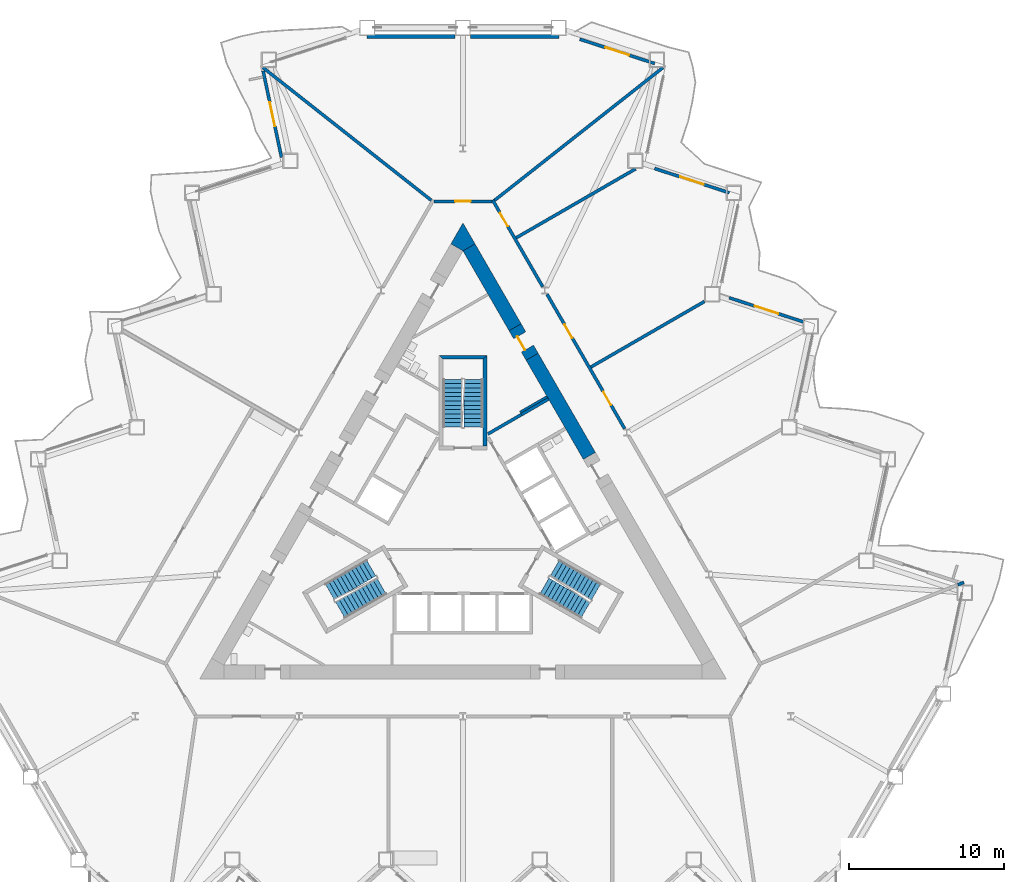
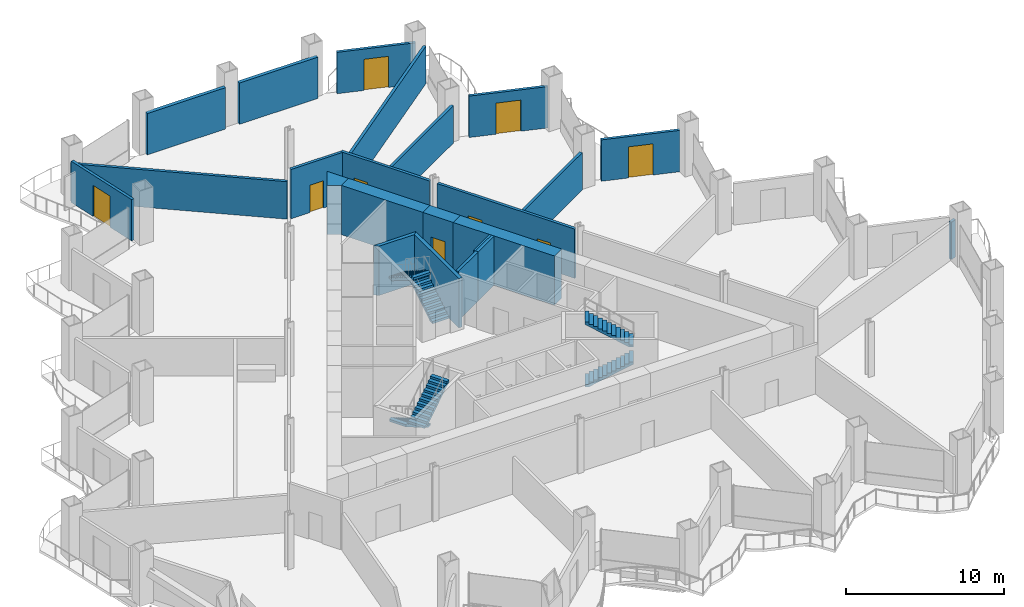
# One storey, part 12 of 20: 23 walls, 9 doors, 6 stair flights, 9 openings, 3 elements without a shape of their own.
"""IFC4 building model written with IfcOpenShell, lengths in metres."""

from ifc_helpers import new_model, si_unit, direction, frame, frame_2d, origin, place, context, subcontext, project, spatial, polyline, rectangle, outline, extrude, material, layer, layer_set, type_object, element, fill, aggregate, save


model = new_model("IFC4")

# Units and contexts
model_context = context("Model", 3, precision=1e-05, world=origin(), true_north=direction((0.0, 1.0)))
body_context = subcontext(model_context, "Body", "Model", "MODEL_VIEW")
ifc_project = project(units=[si_unit("LENGTHUNIT", "METRE"), si_unit("AREAUNIT", "SQUARE_METRE"), si_unit("VOLUMEUNIT", "CUBIC_METRE"), si_unit("PLANEANGLEUNIT", "RADIAN"), si_unit("MASSUNIT", "GRAM", prefix="KILO")], contexts=[model_context])

# Site, building, storey
site_placement = place(None, origin())
site = spatial("IfcSite", under=ifc_project, at=site_placement, CompositionType="ELEMENT")
building_placement = place(site_placement, origin())
building = spatial("IfcBuilding", under=site, at=building_placement, Name="Cormorant Prow Tower", CompositionType="ELEMENT")
storey_placement = place(building_placement, frame((0.0, 0.0, 38.39990234375)))
storey = spatial("IfcBuildingStorey", under=building, at=storey_placement, Name="L07", CompositionType="ELEMENT", Elevation=38.39990234375)

# Walls
ifc_material_1 = material(Name="Gypsum board partition")
ifc_layer_1 = layer(ifc_material_1, 0.14990234375)
ifc_layer_set_1 = layer_set([ifc_layer_1], Name="Gypsum board partition")
wall_type_1 = type_object("IfcWallType", Name="Core partition 150", PredefinedType="PARTITIONING", material=ifc_layer_set_1)
wall_1_placement = place(storey_placement, frame((3.693359375, 7.4150390625, 0.0), z_axis=(0.0, 0.0, 1.0), x_axis=(0.866035824272, 0.499981950752, 0.0)))
element("IfcWall", 1, at=wall_1_placement, inside=storey, type_object=wall_type_1, Name="Service room partition", PredefinedType="PARTITIONING", context=body_context, shape_type="SweptSolid", body=[
    extrude(rectangle(XDim=2.0087890625, YDim=0.14990234375, at=frame_2d((1.00439453125, 0.0))), origin(), (0.0, 0.0, 1.0), 3.800048828125),
])
ifc_material_2 = material(Name="Concrete 8000 psi", Category="concrete")
ifc_layer_2 = layer(ifc_material_2, 0.89990234375)
ifc_layer_set_2 = layer_set([ifc_layer_2], Name="Concrete 8000 psi")
wall_type_2 = type_object("IfcWallType", Name="Core shear wall 900", PredefinedType="SHEAR", material=ifc_layer_set_2)
wall_2_placement = place(storey_placement, frame((8.160400390625, 4.595947265625, 0.0), z_axis=(0.0, 0.0, 1.0), x_axis=(-0.500012259336, 0.866018325738, 0.0)))
element("IfcWall", 2, at=wall_2_placement, inside=storey, type_object=wall_type_2, Name="Core wall", PredefinedType="SHEAR", context=body_context, shape_type="SweptSolid", body=[
    extrude(rectangle(XDim=7.389404296875, YDim=0.89990234375, at=frame_2d((3.69482421875, 0.0))), origin(), (0.0, 0.0, 1.0), 3.800048828125),
])
wall_3_placement = place(storey_placement, frame((3.365478515625, 12.900390625, 0.0), z_axis=(0.0, 0.0, 1.0), x_axis=(-0.499981657175, 0.86603599376, 0.0)))
element("IfcWall", 3, at=wall_3_placement, inside=storey, type_object=wall_type_2, Name="Core wall", PredefinedType="SHEAR", context=body_context, shape_type="SweptSolid", body=[
    extrude(rectangle(XDim=5.951904296875, YDim=0.89990234375, at=frame_2d((2.97607421875, 0.0))), origin(), (0.0, 0.0, 1.0), 3.800048828125),
])
wall_4_placement = place(storey_placement, origin())
element("IfcWall", 4, at=wall_4_placement, inside=storey, type_object=wall_type_2, Name="Core wall corner", PredefinedType="SHEAR", context=body_context, shape_type="SweptSolid", body=[
    extrude(outline(polyline([(-0.779296875, 18.27978515625), (0.0, 19.6298828125), (0.779296875, 18.27978515625), (0.0, 17.829833984375), (-0.779296875, 18.27978515625)])), origin(), (0.0, 0.0, 1.0), 3.800048828125),
])

# Wall, opening, door
wall_5_placement = place(storey_placement, frame((4.465576171875, 10.995361328125, 0.0), z_axis=(0.0, 0.0, 1.0), x_axis=(-0.500077893725, 0.86598042715, 0.0)))
wall_5 = element("IfcWall", 5, at=wall_5_placement, inside=storey, type_object=wall_type_2, Name="Core wall door panel", PredefinedType="SHEAR", context=body_context, shape_type="SweptSolid", body=[
    extrude(rectangle(XDim=2.199951171875, YDim=0.89990234375, at=frame_2d((1.10009765625, 0.0))), origin(), (0.0, 0.0, 1.0), 3.800048828125),
])
opening_1_placement = place(wall_5_placement, frame((0.60009765625, 0.0, 0.0)))
opening_1 = element("IfcOpeningElement", 6, at=opening_1_placement, cuts=wall_5, Name="Opening L07-C20", PredefinedType="OPENING", context=body_context, shape_type="SweptSolid", body=[
    extrude(rectangle(XDim=1.0, YDim=2.10009765625, at=frame_2d((0.5, 1.050048828125))), frame((0.0, 0.4599609375, 0.0), z_axis=(0.0, -1.0, 0.0), x_axis=(1.0, 0.0, 0.0)), (0.0, 0.0, 1.0), 0.919921875),
])
ifc_material_3 = material(Name="Painted steel", Category="steel")
door_type_1 = type_object("IfcDoorType", Name="Service door 1000x2100", OperationType="NOTDEFINED", PredefinedType="DOOR", material=ifc_material_3)
door_1_placement = place(opening_1_placement, origin())
door_1 = element("IfcDoor", 7, at=door_1_placement, inside=storey, type_object=door_type_1, Name="Core door, Toilets (women) L07", OperationType="SINGLE_SWING_LEFT", OverallHeight=2.10009765625, OverallWidth=1.0, PredefinedType="DOOR", context=body_context, shape_type="SweptSolid", body=[
    extrude(rectangle(XDim=1.0, YDim=2.10009765625, at=frame_2d((0.5, 1.050048828125))), frame((0.0, 0.205078125, 0.0), z_axis=(0.0, -1.0, 0.0), x_axis=(1.0, 0.0, 0.0)), (0.0, 0.0, 1.0), 0.050048828125),
])
fill(opening_1, door_1)

# Wall, openings, doors
ifc_material_4 = material(Name="Gypsum board corridor wall")
ifc_layer_3 = layer(ifc_material_4, 0.199951171875)
ifc_layer_set_3 = layer_set([ifc_layer_3], Name="Gypsum board corridor wall")
wall_type_3 = type_object("IfcWallType", Name="Corridor wall 200", PredefinedType="PARTITIONING", material=ifc_layer_set_3)
wall_6_placement = place(storey_placement, frame((5.42919921875, 15.0263671875, 0.0), z_axis=(0.0, 0.0, 1.0), x_axis=(0.50001002959, -0.86601961312, 0.0)))
wall_6 = element("IfcWall", 8, at=wall_6_placement, inside=storey, type_object=wall_type_3, Name="Corridor wall", PredefinedType="PARTITIONING", context=body_context, shape_type="SweptSolid", body=[
    extrude(rectangle(XDim=10.018798828125, YDim=0.199951171875, at=frame_2d((5.00927734375, 0.0))), origin(), (0.0, 0.0, 1.0), 3.800048828125),
])
opening_2_placement = place(wall_6_placement, frame((7.265625, 0.0, 0.0)))
opening_2 = element("IfcOpeningElement", 9, at=opening_2_placement, cuts=wall_6, Name="Opening L07-F07", PredefinedType="OPENING", context=body_context, shape_type="SweptSolid", body=[
    extrude(rectangle(XDim=1.0, YDim=2.10009765625, at=frame_2d((0.5, 1.050048828125))), frame((0.0, 0.10986328125, 0.0), z_axis=(0.0, -1.0, 0.0), x_axis=(1.0, 0.0, 0.0)), (0.0, 0.0, 1.0), 0.219970703125),
])
opening_3_placement = place(wall_6_placement, frame((2.25439453125, 0.0, 0.0)))
opening_3 = element("IfcOpeningElement", 10, at=opening_3_placement, cuts=wall_6, Name="Opening L07-F08", PredefinedType="OPENING", context=body_context, shape_type="SweptSolid", body=[
    extrude(rectangle(XDim=1.0, YDim=2.10009765625, at=frame_2d((0.5, 1.050048828125))), frame((0.0, 0.10986328125, 0.0), z_axis=(0.0, -1.0, 0.0), x_axis=(1.0, 0.0, 0.0)), (0.0, 0.0, 1.0), 0.219970703125),
])
ifc_material_5 = material(Name="Timber door leaf", Category="wood")
door_type_2 = type_object("IfcDoorType", Name="Office door 1000x2100", OperationType="NOTDEFINED", PredefinedType="DOOR", material=ifc_material_5)
door_2_placement = place(opening_2_placement, origin())
door_2 = element("IfcDoor", 11, at=door_2_placement, inside=storey, type_object=door_type_2, Name="Open-plan office door", OperationType="SINGLE_SWING_RIGHT", OverallHeight=2.10009765625, OverallWidth=1.0, PredefinedType="DOOR", context=body_context, shape_type="SweptSolid", body=[
    extrude(rectangle(XDim=1.0, YDim=2.10009765625, at=frame_2d((0.5, 1.050048828125))), frame((0.0, 0.02490234375, 0.0), z_axis=(0.0, -1.0, 0.0), x_axis=(1.0, 0.0, 0.0)), (0.0, 0.0, 1.0), 0.050048828125),
])
fill(opening_2, door_2)
door_3_placement = place(opening_3_placement, origin())
door_3 = element("IfcDoor", 12, at=door_3_placement, inside=storey, type_object=door_type_2, Name="Tenant suite door", OperationType="SINGLE_SWING_LEFT", OverallHeight=2.10009765625, OverallWidth=1.0, PredefinedType="DOOR", context=body_context, shape_type="SweptSolid", body=[
    extrude(rectangle(XDim=1.0, YDim=2.10009765625, at=frame_2d((0.5, 1.050048828125))), frame((0.0, 0.02490234375, 0.0), z_axis=(0.0, -1.0, 0.0), x_axis=(1.0, 0.0, 0.0)), (0.0, 0.0, 1.0), 0.050048828125),
])
fill(opening_3, door_3)

# Wall, opening, door
wall_7_placement = place(storey_placement, frame((1.9130859375, 21.116455078125, 0.0), z_axis=(0.0, 0.0, 1.0), x_axis=(0.500001069878, -0.866024786089, 0.0)))
wall_7 = element("IfcWall", 13, at=wall_7_placement, inside=storey, type_object=wall_type_3, Name="Corridor wall", PredefinedType="PARTITIONING", context=body_context, shape_type="SweptSolid", body=[
    extrude(rectangle(XDim=6.47265625, YDim=0.199951171875, at=frame_2d((3.236328125, 0.0))), origin(), (0.0, 0.0, 1.0), 3.800048828125),
])
opening_4_placement = place(wall_7_placement, frame((0.96044921875, 0.0, 0.0)))
opening_4 = element("IfcOpeningElement", 14, at=opening_4_placement, cuts=wall_7, Name="Opening L07-F09", PredefinedType="OPENING", context=body_context, shape_type="SweptSolid", body=[
    extrude(rectangle(XDim=1.0, YDim=2.10009765625, at=frame_2d((0.5, 1.050048828125))), frame((0.0, 0.10986328125, 0.0), z_axis=(0.0, -1.0, 0.0), x_axis=(1.0, 0.0, 0.0)), (0.0, 0.0, 1.0), 0.219970703125),
])
door_4_placement = place(opening_4_placement, origin())
door_4 = element("IfcDoor", 15, at=door_4_placement, inside=storey, type_object=door_type_2, Name="Private office door", OperationType="SINGLE_SWING_LEFT", OverallHeight=2.10009765625, OverallWidth=1.0, PredefinedType="DOOR", context=body_context, shape_type="SweptSolid", body=[
    extrude(rectangle(XDim=1.0, YDim=2.10009765625, at=frame_2d((0.5, 1.050048828125))), frame((0.0, 0.02490234375, 0.0), z_axis=(0.0, -1.0, 0.0), x_axis=(1.0, 0.0, 0.0)), (0.0, 0.0, 1.0), 0.050048828125),
])
fill(opening_4, door_4)

wall_8_placement = place(storey_placement, frame((-1.863037109375, 21.02978515625, 0.0), z_axis=(0.0, 0.0, 1.0), x_axis=(1.0, 0.0, 0.0)))
wall_8 = element("IfcWall", 16, at=wall_8_placement, inside=storey, type_object=wall_type_3, Name="Corridor wall", PredefinedType="PARTITIONING", context=body_context, shape_type="SweptSolid", body=[
    extrude(rectangle(XDim=3.72607421875, YDim=0.199951171875, at=frame_2d((1.863037109375, 0.0))), origin(), (0.0, 0.0, 1.0), 3.800048828125),
])
opening_5_placement = place(wall_8_placement, frame((1.363037109375, 0.0, 0.0)))
opening_5 = element("IfcOpeningElement", 17, at=opening_5_placement, cuts=wall_8, Name="Opening L07-F10", PredefinedType="OPENING", context=body_context, shape_type="SweptSolid", body=[
    extrude(rectangle(XDim=1.0, YDim=2.10009765625, at=frame_2d((0.5, 1.050048828125))), frame((0.0, 0.10986328125, 0.0), z_axis=(0.0, -1.0, 0.0), x_axis=(1.0, 0.0, 0.0)), (0.0, 0.0, 1.0), 0.219970703125),
])
door_5_placement = place(opening_5_placement, origin())
door_5 = element("IfcDoor", 18, at=door_5_placement, inside=storey, type_object=door_type_2, Name="Tenant suite door", OperationType="SINGLE_SWING_LEFT", OverallHeight=2.10009765625, OverallWidth=1.0, PredefinedType="DOOR", context=body_context, shape_type="SweptSolid", body=[
    extrude(rectangle(XDim=1.0, YDim=2.10009765625, at=frame_2d((0.5, 1.050048828125))), frame((0.0, 0.02490234375, 0.0), z_axis=(0.0, -1.0, 0.0), x_axis=(1.0, 0.0, 0.0)), (0.0, 0.0, 1.0), 0.050048828125),
])
fill(opening_5, door_5)

# Walls
ifc_material_6 = material(Name="Gypsum board demising wall")
ifc_layer_4 = layer(ifc_material_6, 0.199951171875)
ifc_layer_set_4 = layer_set([ifc_layer_4], Name="Gypsum board demising wall")
wall_type_4 = type_object("IfcWallType", Name="Demising wall 200", PredefinedType="PARTITIONING", material=ifc_layer_set_4)
for number, where, z_axis, x_axis, name in (
    (19, (-12.90771484375, 29.65869140625, 0.0), (0.0, 0.0, 1.0), (0.78529358076, -0.619123567648, 0.0), "Demising wall"),
    (20, (2.04150390625, 21.091796875, 0.0), (0.0, 0.0, 1.0), (0.78529358076, 0.619123567648, 0.0), "Demising wall"),
):
    element("IfcWall", number, at=place(storey_placement, frame(where, z_axis=z_axis, x_axis=x_axis)), inside=storey, type_object=wall_type_4, Name=name, PredefinedType="PARTITIONING", context=body_context, shape_type="SweptSolid", body=[
        extrude(rectangle(XDim=13.837158203125, YDim=0.199951171875, at=frame_2d((6.91845703125, 0.0))), origin(), (0.0, 0.0, 1.0), 2.885498046875),
    ])
wall_9_placement = place(storey_placement, frame((3.438720703125, 18.673828125, 0.0), z_axis=(0.0, 0.0, 1.0), x_axis=(0.866020616849, 0.500008291124, 0.0)))
element("IfcWall", 21, at=wall_9_placement, inside=storey, type_object=wall_type_4, Name="Demising wall", PredefinedType="PARTITIONING", context=body_context, shape_type="SweptSolid", body=[
    extrude(rectangle(XDim=8.896728515625, YDim=0.199951171875, at=frame_2d((4.4482421875, 0.0))), origin(), (0.0, 0.0, 1.0), 2.885498046875),
])
wall_10_placement = place(storey_placement, frame((8.25634765625, 10.32958984375, 0.0), z_axis=(0.0, 0.0, 1.0), x_axis=(0.866026229868, 0.499998569178, 0.0)))
element("IfcWall", 22, at=wall_10_placement, inside=storey, type_object=wall_type_4, Name="Demising wall", PredefinedType="PARTITIONING", context=body_context, shape_type="SweptSolid", body=[
    extrude(rectangle(XDim=8.47021484375, YDim=0.199951171875, at=frame_2d((4.235107421875, 0.0))), origin(), (0.0, 0.0, 1.0), 2.885498046875),
])
wall_11_placement = place(storey_placement, frame((31.947509765625, -3.727294921875, 0.0), z_axis=(0.0, 0.0, 1.0), x_axis=(0.928757356094, 0.370688243003, 0.0)))
element("IfcWall", 23, at=wall_11_placement, inside=storey, type_object=wall_type_4, Name="Demising wall", PredefinedType="PARTITIONING", context=body_context, shape_type="SweptSolid", body=[
    extrude(rectangle(XDim=0.41943359375, YDim=0.199951171875, at=frame_2d((0.209716796875, 0.0))), origin(), (0.0, 0.0, 1.0), 2.885498046875),
])
ifc_material_7 = material(Name="Concrete 8000 psi", Category="concrete")
ifc_layer_5 = layer(ifc_material_7, 0.199951171875)
ifc_layer_set_5 = layer_set([ifc_layer_5], Name="Concrete 8000 psi")
wall_type_5 = type_object("IfcWallType", Name="Lift shaft wall 200", PredefinedType="SHEAR", material=ifc_layer_set_5)
wall_12_placement = place(storey_placement, origin())
element("IfcWall", 24, at=wall_12_placement, inside=storey, type_object=wall_type_5, Name="Lift shaft walls, ENE block", PredefinedType="SHEAR", context=body_context, shape_type="SweptSolid", body=[
    extrude(outline(polyline([(1.560546875, 6.09716796875), (3.730712890625, 7.35009765625), (3.830810546875, 7.177001953125), (1.660400390625, 5.923828125), (1.560546875, 6.09716796875)])), origin(), (0.0, 0.0, 1.0), 3.800048828125),
])
wall_13_placement = place(storey_placement, frame((3.78076171875, 7.263427734375, 0.0), z_axis=(0.0, 0.0, 1.0), x_axis=(0.865983199114, 0.50007309351, 0.0)))
element("IfcWall", 25, at=wall_13_placement, inside=storey, type_object=wall_type_5, Name="Store side wall", PredefinedType="SHEAR", context=body_context, shape_type="SweptSolid", body=[
    extrude(rectangle(XDim=2.009033203125, YDim=0.199951171875, at=frame_2d((1.00439453125, 0.0))), origin(), (0.0, 0.0, 1.0), 3.800048828125),
])
ifc_material_8 = material(Name="Concrete 8000 psi", Category="concrete")
ifc_layer_6 = layer(ifc_material_8, 0.25)
ifc_layer_set_6 = layer_set([ifc_layer_6], Name="Concrete 8000 psi")
wall_type_6 = type_object("IfcWallType", Name="Stair wall 250", PredefinedType="SHEAR", material=ifc_layer_set_6)
wall_14_placement = place(storey_placement, origin())
element("IfcWall", 26, at=wall_14_placement, inside=storey, type_object=wall_type_6, Name="Stair ST3 enclosure wall (flank)", PredefinedType="SHEAR", context=body_context, shape_type="SweptSolid", body=[
    extrude(outline(polyline([(1.5439453125, 5.23681640625), (1.5439453125, 11.0869140625), (1.2939453125, 10.8369140625), (1.2939453125, 5.23681640625), (1.5439453125, 5.23681640625)])), origin(), (0.0, 0.0, 1.0), 3.800048828125),
])
wall_15_placement = place(storey_placement, origin())
element("IfcWall", 27, at=wall_15_placement, inside=storey, type_object=wall_type_6, Name="Stair ST3 enclosure wall (end)", PredefinedType="SHEAR", context=body_context, shape_type="SweptSolid", body=[
    extrude(outline(polyline([(1.5439453125, 11.0869140625), (-1.5439453125, 11.0869140625), (-1.2939453125, 10.8369140625), (1.2939453125, 10.8369140625), (1.5439453125, 11.0869140625)])), origin(), (0.0, 0.0, 1.0), 3.800048828125),
])
ifc_material_9 = material(Name="Terracotta", Category="masonry")
ifc_layer_7 = layer(ifc_material_9, 0.25)
ifc_layer_set_7 = layer_set([ifc_layer_7], Name="Terracotta")
wall_type_7 = type_object("IfcWallType", Name="Terracotta bay wall 250", PredefinedType="SOLIDWALL", material=ifc_layer_set_7)
for number, where, z_axis, x_axis, name in (
    (28, (6.209228515625, 31.679931640625, 0.0), (0.0, 0.0, 1.0), (-1.0, 0.0, 0.0), "Terracotta bay wall N00"),
    (29, (-0.5, 31.679931640625, 0.0), (0.0, 0.0, 1.0), (-1.0, 0.0, 0.0), "Terracotta bay wall N01"),
):
    element("IfcWall", number, at=place(storey_placement, frame(where, z_axis=z_axis, x_axis=x_axis)), inside=storey, type_object=wall_type_7, Name=name, PredefinedType="SOLIDWALL", context=body_context, shape_type="SweptSolid", body=[
        extrude(rectangle(XDim=5.709228515625, YDim=0.25, at=frame_2d((2.8544921875, 0.0))), origin(), (0.0, 0.0, 1.0), 3.18896484375),
    ])

# Wall, opening, door
ifc_material_10 = material(Name="Terracotta", Category="masonry")
ifc_layer_8 = layer(ifc_material_10, 0.199951171875)
ifc_layer_set_8 = layer_set([ifc_layer_8], Name="Terracotta")
wall_type_8 = type_object("IfcWallType", Name="Terracotta jamb wall 200", PredefinedType="SOLIDWALL", material=ifc_layer_set_8)
wall_16_placement = place(storey_placement, frame((22.01318359375, 13.2353515625, 0.0), z_axis=(0.0, 0.0, 1.0), x_axis=(-0.951051031059, 0.309033875687, 0.0)))
wall_16 = element("IfcWall", 30, at=wall_16_placement, inside=storey, type_object=wall_type_8, Name="Terracotta jamb wall ENE05", PredefinedType="SOLIDWALL", context=body_context, shape_type="SweptSolid", body=[
    extrude(rectangle(XDim=5.07666015625, YDim=0.199951171875, at=frame_2d((2.538330078125, 0.0))), origin(), (0.0, 0.0, 1.0), 3.18896484375),
])
opening_6_placement = place(wall_16_placement, frame((1.73828125, 0.0, 0.0)))
opening_6 = element("IfcOpeningElement", 31, at=opening_6_placement, cuts=wall_16, Name="Opening ED07.08", PredefinedType="OPENING", context=body_context, shape_type="SweptSolid", body=[
    extrude(rectangle(XDim=1.60009765625, YDim=2.39990234375, at=frame_2d((0.800048828125, 1.199951171875))), frame((0.0, 0.10986328125, 0.0), z_axis=(0.0, -1.0, 0.0), x_axis=(1.0, 0.0, 0.0)), (0.0, 0.0, 1.0), 0.219970703125),
])
ifc_material_11 = material(Name="Aluminium 6063-T6", Category="aluminium")
door_type_3 = type_object("IfcDoorType", Name="Balcony door 1600x2400", OperationType="DOUBLE_DOOR_SINGLE_SWING", PredefinedType="DOOR", material=ifc_material_11)
door_6_placement = place(opening_6_placement, origin())
door_6 = element("IfcDoor", 32, at=door_6_placement, inside=storey, type_object=door_type_3, Name="Balcony door ENE05 ED07.08", OperationType="DOUBLE_DOOR_SINGLE_SWING", OverallHeight=2.39990234375, OverallWidth=1.60009765625, PredefinedType="DOOR", context=body_context, shape_type="SweptSolid", body=[
    extrude(rectangle(XDim=1.60009765625, YDim=2.39990234375, at=frame_2d((0.800048828125, 1.199951171875))), frame((0.0, 0.02490234375, 0.0), z_axis=(0.0, -1.0, 0.0), x_axis=(1.0, 0.0, 0.0)), (0.0, 0.0, 1.0), 0.050048828125),
])
fill(opening_6, door_6)

wall_17_placement = place(storey_placement, frame((17.195556640625, 21.57958984375, 0.0), z_axis=(0.0, 0.0, 1.0), x_axis=(-0.951051031059, 0.309033875687, 0.0)))
wall_17 = element("IfcWall", 33, at=wall_17_placement, inside=storey, type_object=wall_type_8, Name="Terracotta jamb wall ENE07", PredefinedType="SOLIDWALL", context=body_context, shape_type="SweptSolid", body=[
    extrude(rectangle(XDim=5.07666015625, YDim=0.199951171875, at=frame_2d((2.538330078125, 0.0))), origin(), (0.0, 0.0, 1.0), 3.18896484375),
])
opening_7_placement = place(wall_17_placement, frame((1.73828125, 0.0, 0.0)))
opening_7 = element("IfcOpeningElement", 34, at=opening_7_placement, cuts=wall_17, Name="Opening ED07.09", PredefinedType="OPENING", context=body_context, shape_type="SweptSolid", body=[
    extrude(rectangle(XDim=1.60009765625, YDim=2.39990234375, at=frame_2d((0.800048828125, 1.199951171875))), frame((0.0, 0.10986328125, 0.0), z_axis=(0.0, -1.0, 0.0), x_axis=(1.0, 0.0, 0.0)), (0.0, 0.0, 1.0), 0.219970703125),
])
door_7_placement = place(opening_7_placement, origin())
door_7 = element("IfcDoor", 35, at=door_7_placement, inside=storey, type_object=door_type_3, Name="Balcony door ENE07 ED07.09", OperationType="DOUBLE_DOOR_SINGLE_SWING", OverallHeight=2.39990234375, OverallWidth=1.60009765625, PredefinedType="DOOR", context=body_context, shape_type="SweptSolid", body=[
    extrude(rectangle(XDim=1.60009765625, YDim=2.39990234375, at=frame_2d((0.800048828125, 1.199951171875))), frame((0.0, 0.02490234375, 0.0), z_axis=(0.0, -1.0, 0.0), x_axis=(1.0, 0.0, 0.0)), (0.0, 0.0, 1.0), 0.050048828125),
])
fill(opening_7, door_7)

wall_18_placement = place(storey_placement, frame((12.378173828125, 29.923828125, 0.0), z_axis=(0.0, 0.0, 1.0), x_axis=(-0.951055623544, 0.309019741968, 0.0)))
wall_18 = element("IfcWall", 36, at=wall_18_placement, inside=storey, type_object=wall_type_8, Name="Terracotta jamb wall ENE09", PredefinedType="SOLIDWALL", context=body_context, shape_type="SweptSolid", body=[
    extrude(rectangle(XDim=5.076904296875, YDim=0.199951171875, at=frame_2d((2.53857421875, 0.0))), origin(), (0.0, 0.0, 1.0), 3.18896484375),
])
opening_8_placement = place(wall_18_placement, frame((1.73828125, 0.0, 0.0)))
opening_8 = element("IfcOpeningElement", 37, at=opening_8_placement, cuts=wall_18, Name="Opening ED07.10", PredefinedType="OPENING", context=body_context, shape_type="SweptSolid", body=[
    extrude(rectangle(XDim=1.60009765625, YDim=2.39990234375, at=frame_2d((0.800048828125, 1.199951171875))), frame((0.0, 0.10986328125, 0.0), z_axis=(0.0, -1.0, 0.0), x_axis=(1.0, 0.0, 0.0)), (0.0, 0.0, 1.0), 0.219970703125),
])
door_8_placement = place(opening_8_placement, origin())
door_8 = element("IfcDoor", 38, at=door_8_placement, inside=storey, type_object=door_type_3, Name="Balcony door ENE09 ED07.10", OperationType="DOUBLE_DOOR_SINGLE_SWING", OverallHeight=2.39990234375, OverallWidth=1.60009765625, PredefinedType="DOOR", context=body_context, shape_type="SweptSolid", body=[
    extrude(rectangle(XDim=1.60009765625, YDim=2.39990234375, at=frame_2d((0.800048828125, 1.199951171875))), frame((0.0, 0.02490234375, 0.0), z_axis=(0.0, -1.0, 0.0), x_axis=(1.0, 0.0, 0.0)), (0.0, 0.0, 1.0), 0.050048828125),
])
fill(opening_8, door_8)

wall_19_placement = place(storey_placement, frame((-12.89990234375, 29.44677734375, 0.0), z_axis=(0.0, 0.0, 1.0), x_axis=(0.207929909881, -0.978143727975, 0.0)))
wall_19 = element("IfcWall", 39, at=wall_19_placement, inside=storey, type_object=wall_type_8, Name="Terracotta jamb wall WNW01", PredefinedType="SOLIDWALL", context=body_context, shape_type="SweptSolid", body=[
    extrude(rectangle(XDim=5.7041015625, YDim=0.199951171875, at=frame_2d((2.85205078125, 0.0))), origin(), (0.0, 0.0, 1.0), 3.18896484375),
])
opening_9_placement = place(wall_19_placement, frame((2.057373046875, 0.0, 0.0)))
opening_9 = element("IfcOpeningElement", 40, at=opening_9_placement, cuts=wall_19, Name="Opening ED07.11", PredefinedType="OPENING", context=body_context, shape_type="SweptSolid", body=[
    extrude(rectangle(XDim=1.60009765625, YDim=2.39990234375, at=frame_2d((0.800048828125, 1.199951171875))), frame((0.0, 0.10986328125, 0.0), z_axis=(0.0, -1.0, 0.0), x_axis=(1.0, 0.0, 0.0)), (0.0, 0.0, 1.0), 0.219970703125),
])
door_9_placement = place(opening_9_placement, origin())
door_9 = element("IfcDoor", 41, at=door_9_placement, inside=storey, type_object=door_type_3, Name="Balcony door WNW01 ED07.11", OperationType="DOUBLE_DOOR_SINGLE_SWING", OverallHeight=2.39990234375, OverallWidth=1.60009765625, PredefinedType="DOOR", context=body_context, shape_type="SweptSolid", body=[
    extrude(rectangle(XDim=1.60009765625, YDim=2.39990234375, at=frame_2d((0.800048828125, 1.199951171875))), frame((0.0, 0.02490234375, 0.0), z_axis=(0.0, -1.0, 0.0), x_axis=(1.0, 0.0, 0.0)), (0.0, 0.0, 1.0), 0.050048828125),
])
fill(opening_9, door_9)

# Stair, stair flights
ifc_material_12 = material(Name="Exit stair 24 risers")
stair_type = type_object("IfcStairType", Name="Exit stair 24 risers", PredefinedType="HALF_TURN_STAIR", material=ifc_material_12)
stair_1_placement = place(storey_placement, origin())
stair_1 = element("IfcStair", 42, at=stair_1_placement, inside=storey, type_object=stair_type, Name="L07 Exit stair ST1", PredefinedType="HALF_TURN_STAIR")
ifc_material_13 = material(Name="Concrete 5000 psi", Category="concrete")
stair_flight_type = type_object("IfcStairFlightType", Name="Stair flight 1219", PredefinedType="STRAIGHT", material=ifc_material_13)
stair_flight_1_placement = place(storey_placement, frame((-5.93310546875, -2.635009765625, 0.0), z_axis=(0.0, 0.0, 1.0), x_axis=(-0.866025403784, -0.5, 0.0)))
stair_flight_1 = element("IfcStairFlight", 43, at=stair_flight_1_placement, type_object=stair_flight_type, Name="ST1 flight 1", NumberOfRisers=12, NumberOfTreads=11, PredefinedType="STRAIGHT", RiserHeight=0.175, TreadLength=0.28, context=body_context, shape_type="SweptSolid", body=[
    extrude(outline(polyline([(0.0, 0.0), (0.0, 0.175048828125), (0.280029296875, 0.175048828125), (0.280029296875, 0.35009765625), (0.56005859375, 0.35009765625), (0.56005859375, 0.52490234375), (0.840087890625, 0.52490234375), (0.840087890625, 0.699951171875), (1.1201171875, 0.699951171875), (1.1201171875, 0.875), (1.39990234375, 0.875), (1.39990234375, 1.050048828125), (1.679931640625, 1.050048828125), (1.679931640625, 1.22509765625), (1.9599609375, 1.22509765625), (1.9599609375, 1.39990234375), (2.239990234375, 1.39990234375), (2.239990234375, 1.574951171875), (2.52001953125, 1.574951171875), (2.52001953125, 1.75), (2.800048828125, 1.75), (2.800048828125, 1.925048828125), (3.080078125, 1.925048828125), (3.080078125, 2.10009765625), (3.080078125, 1.748291015625), (0.28271484375, 0.0), (0.0, 0.0)])), frame((0.0, 0.609375, 0.0), z_axis=(0.0, -1.0, 0.0), x_axis=(1.0, 0.0, 0.0)), (0.0, 0.0, 1.0), 1.218994140625),
])
stair_flight_2_placement = place(storey_placement, frame((-7.916015625, -5.360595703125, 2.10009765625), z_axis=(0.0, 0.0, 1.0), x_axis=(0.866025403784, 0.5, 0.0)))
stair_flight_2 = element("IfcStairFlight", 44, at=stair_flight_2_placement, type_object=stair_flight_type, Name="ST1 flight 2", NumberOfRisers=12, NumberOfTreads=11, PredefinedType="STRAIGHT", RiserHeight=0.175, TreadLength=0.28, context=body_context, shape_type="SweptSolid", body=[
    extrude(outline(polyline([(0.0, 0.0), (0.0, 0.175048828125), (0.280029296875, 0.175048828125), (0.280029296875, 0.35009765625), (0.56005859375, 0.35009765625), (0.56005859375, 0.52490234375), (0.840087890625, 0.52490234375), (0.840087890625, 0.699951171875), (1.1201171875, 0.699951171875), (1.1201171875, 0.875), (1.39990234375, 0.875), (1.39990234375, 1.050048828125), (1.679931640625, 1.050048828125), (1.679931640625, 1.22509765625), (1.9599609375, 1.22509765625), (1.9599609375, 1.39990234375), (2.239990234375, 1.39990234375), (2.239990234375, 1.574951171875), (2.52001953125, 1.574951171875), (2.52001953125, 1.75), (2.800048828125, 1.75), (2.800048828125, 1.925048828125), (3.080078125, 1.925048828125), (3.080078125, 2.10009765625), (3.080078125, 1.748291015625), (0.28271484375, 0.0), (0.0, 0.0)])), frame((0.0, 0.609375, 0.0), z_axis=(0.0, -1.0, 0.0), x_axis=(1.0, 0.0, 0.0)), (0.0, 0.0, 1.0), 1.218994140625),
])
aggregate(stair_1, [stair_flight_1, stair_flight_2])

stair_2_placement = place(storey_placement, origin())
stair_2 = element("IfcStair", 45, at=stair_2_placement, inside=storey, type_object=stair_type, Name="L07 Exit stair ST2", PredefinedType="HALF_TURN_STAIR")
stair_flight_3_placement = place(storey_placement, frame((5.24853515625, -3.82080078125, 0.0), z_axis=(0.0, 0.0, 1.0), x_axis=(0.866025403784, -0.5, 0.0)))
stair_flight_3 = element("IfcStairFlight", 46, at=stair_flight_3_placement, type_object=stair_flight_type, Name="ST2 flight 1", NumberOfRisers=12, NumberOfTreads=11, PredefinedType="STRAIGHT", RiserHeight=0.175, TreadLength=0.28, context=body_context, shape_type="SweptSolid", body=[
    extrude(outline(polyline([(0.0, 0.0), (0.0, 0.175048828125), (0.280029296875, 0.175048828125), (0.280029296875, 0.35009765625), (0.56005859375, 0.35009765625), (0.56005859375, 0.52490234375), (0.840087890625, 0.52490234375), (0.840087890625, 0.699951171875), (1.1201171875, 0.699951171875), (1.1201171875, 0.875), (1.39990234375, 0.875), (1.39990234375, 1.050048828125), (1.679931640625, 1.050048828125), (1.679931640625, 1.22509765625), (1.9599609375, 1.22509765625), (1.9599609375, 1.39990234375), (2.239990234375, 1.39990234375), (2.239990234375, 1.574951171875), (2.52001953125, 1.574951171875), (2.52001953125, 1.75), (2.800048828125, 1.75), (2.800048828125, 1.925048828125), (3.080078125, 1.925048828125), (3.080078125, 2.10009765625), (3.080078125, 1.748291015625), (0.28271484375, 0.0), (0.0, 0.0)])), frame((0.0, 0.609375, 0.0), z_axis=(0.0, -1.0, 0.0), x_axis=(1.0, 0.0, 0.0)), (0.0, 0.0, 1.0), 1.218994140625),
])
stair_flight_4_placement = place(storey_placement, frame((8.6005859375, -4.175048828125, 2.10009765625), z_axis=(0.0, 0.0, 1.0), x_axis=(-0.866025403784, 0.5, 0.0)))
stair_flight_4 = element("IfcStairFlight", 47, at=stair_flight_4_placement, type_object=stair_flight_type, Name="ST2 flight 2", NumberOfRisers=12, NumberOfTreads=11, PredefinedType="STRAIGHT", RiserHeight=0.175, TreadLength=0.28, context=body_context, shape_type="SweptSolid", body=[
    extrude(outline(polyline([(0.0, 0.0), (0.0, 0.175048828125), (0.280029296875, 0.175048828125), (0.280029296875, 0.35009765625), (0.56005859375, 0.35009765625), (0.56005859375, 0.52490234375), (0.840087890625, 0.52490234375), (0.840087890625, 0.699951171875), (1.1201171875, 0.699951171875), (1.1201171875, 0.875), (1.39990234375, 0.875), (1.39990234375, 1.050048828125), (1.679931640625, 1.050048828125), (1.679931640625, 1.22509765625), (1.9599609375, 1.22509765625), (1.9599609375, 1.39990234375), (2.239990234375, 1.39990234375), (2.239990234375, 1.574951171875), (2.52001953125, 1.574951171875), (2.52001953125, 1.75), (2.800048828125, 1.75), (2.800048828125, 1.925048828125), (3.080078125, 1.925048828125), (3.080078125, 2.10009765625), (3.080078125, 1.748291015625), (0.28271484375, 0.0), (0.0, 0.0)])), frame((0.0, 0.609375, 0.0), z_axis=(0.0, -1.0, 0.0), x_axis=(1.0, 0.0, 0.0)), (0.0, 0.0, 1.0), 1.218994140625),
])
aggregate(stair_2, [stair_flight_3, stair_flight_4])

stair_3_placement = place(storey_placement, origin())
stair_3 = element("IfcStair", 48, at=stair_3_placement, inside=storey, type_object=stair_type, Name="L07 Exit stair ST3", PredefinedType="HALF_TURN_STAIR")
stair_flight_5_placement = place(storey_placement, frame((0.6845703125, 6.455810546875, 0.0), z_axis=(0.0, 0.0, 1.0), x_axis=(0.0, 1.0, 0.0)))
stair_flight_5 = element("IfcStairFlight", 49, at=stair_flight_5_placement, type_object=stair_flight_type, Name="ST3 flight 1", NumberOfRisers=12, NumberOfTreads=11, PredefinedType="STRAIGHT", RiserHeight=0.175, TreadLength=0.28, context=body_context, shape_type="SweptSolid", body=[
    extrude(outline(polyline([(0.0, 0.0), (0.0, 0.175048828125), (0.280029296875, 0.175048828125), (0.280029296875, 0.35009765625), (0.56005859375, 0.35009765625), (0.56005859375, 0.52490234375), (0.840087890625, 0.52490234375), (0.840087890625, 0.699951171875), (1.1201171875, 0.699951171875), (1.1201171875, 0.875), (1.39990234375, 0.875), (1.39990234375, 1.050048828125), (1.679931640625, 1.050048828125), (1.679931640625, 1.22509765625), (1.9599609375, 1.22509765625), (1.9599609375, 1.39990234375), (2.239990234375, 1.39990234375), (2.239990234375, 1.574951171875), (2.52001953125, 1.574951171875), (2.52001953125, 1.75), (2.800048828125, 1.75), (2.800048828125, 1.925048828125), (3.080078125, 1.925048828125), (3.080078125, 2.10009765625), (3.080078125, 1.748291015625), (0.28271484375, 0.0), (0.0, 0.0)])), frame((0.0, 0.609375, 0.0), z_axis=(0.0, -1.0, 0.0), x_axis=(1.0, 0.0, 0.0)), (0.0, 0.0, 1.0), 1.218994140625),
])
stair_flight_6_placement = place(storey_placement, frame((-0.6845703125, 9.535888671875, 2.10009765625), z_axis=(0.0, 0.0, 1.0), x_axis=(0.0, -1.0, 0.0)))
stair_flight_6 = element("IfcStairFlight", 50, at=stair_flight_6_placement, type_object=stair_flight_type, Name="ST3 flight 2", NumberOfRisers=12, NumberOfTreads=11, PredefinedType="STRAIGHT", RiserHeight=0.175, TreadLength=0.28, context=body_context, shape_type="SweptSolid", body=[
    extrude(outline(polyline([(0.0, 0.0), (0.0, 0.175048828125), (0.280029296875, 0.175048828125), (0.280029296875, 0.35009765625), (0.56005859375, 0.35009765625), (0.56005859375, 0.52490234375), (0.840087890625, 0.52490234375), (0.840087890625, 0.699951171875), (1.1201171875, 0.699951171875), (1.1201171875, 0.875), (1.39990234375, 0.875), (1.39990234375, 1.050048828125), (1.679931640625, 1.050048828125), (1.679931640625, 1.22509765625), (1.9599609375, 1.22509765625), (1.9599609375, 1.39990234375), (2.239990234375, 1.39990234375), (2.239990234375, 1.574951171875), (2.52001953125, 1.574951171875), (2.52001953125, 1.75), (2.800048828125, 1.75), (2.800048828125, 1.925048828125), (3.080078125, 1.925048828125), (3.080078125, 2.10009765625), (3.080078125, 1.748291015625), (0.28271484375, 0.0), (0.0, 0.0)])), frame((0.0, 0.609375, 0.0), z_axis=(0.0, -1.0, 0.0), x_axis=(1.0, 0.0, 0.0)), (0.0, 0.0, 1.0), 1.218994140625),
])
aggregate(stair_3, [stair_flight_5, stair_flight_6])

save(model, "model.ifc")
